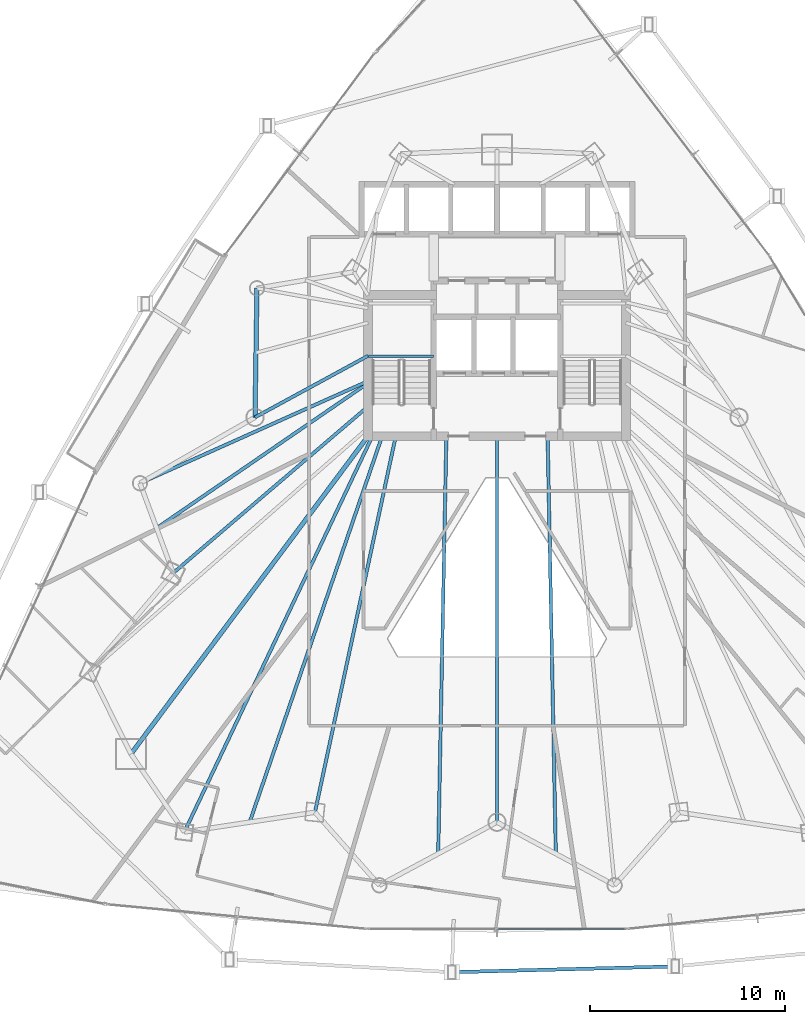
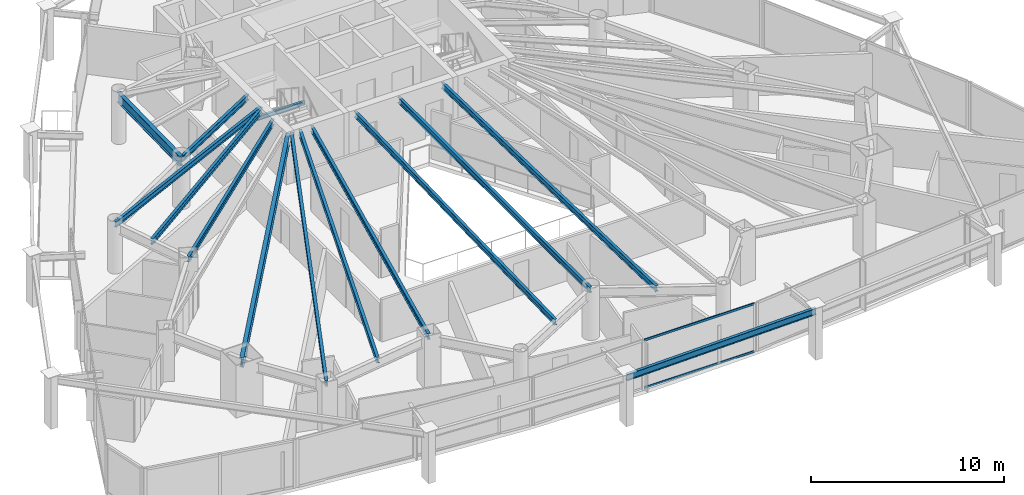
# One storey, part 11 of 35: 14 beams, 2 members, 1 element without a shape of its own.
"""IFC4 building model written with IfcOpenShell, lengths in metres."""

import ifcopenshell
import ifcopenshell.guid

model = None  # the IFC model being written
_history = None  # IfcOwnerHistory: only IFC2X3 demands one
_inside = {}  # id of a spatial element -> (the spatial element, [elements in it])
_under = {}  # id of a project, library or spatial element -> (it, [spatial elements below it])
_declared = {}  # id of a project -> (the project, [libraries it declares])
_typed = {}  # id of a type object -> (the type object, [elements of that type])
_made_of = {}  # id of a material, layer set ... -> (it, [elements and type objects made of it])


def new_model(schema):
    """Start an empty IFC model of exactly this schema.

    Asked for "IFC4X3", IfcOpenShell would pick the latest addendum, in which some entities
    have other attributes; the version numbers below select the first issue.
    IFC2X3 requires an IfcOwnerHistory on every rooted entity: one is made here for all.
    """
    global model, _history
    if schema == "IFC4X3":
        model = ifcopenshell.file(schema_version=(4, 3, 0, 0))
    else:
        model = ifcopenshell.file(schema=schema)
    _inside.clear()
    _under.clear()
    _declared.clear()
    _typed.clear()
    _made_of.clear()
    _history = None
    if model.schema == "IFC2X3":
        org = make("IfcOrganization", Name="unknown")
        user = make(
            "IfcPersonAndOrganization",
            ThePerson=make("IfcPerson", FamilyName="unknown"),
            TheOrganization=org,
        )
        app = make(
            "IfcApplication",
            ApplicationDeveloper=org,
            Version="unknown",
            ApplicationFullName="unknown",
            ApplicationIdentifier="unknown",
        )
        _history = make(
            "IfcOwnerHistory",
            OwningUser=user,
            OwningApplication=app,
            ChangeAction="ADDED",
            CreationDate=0,
        )
    return model


def make(cls, **values):
    """One entity of the class cls with the attributes given. An attribute that is None is left unset."""
    return model.create_entity(
        cls, **{name: value for name, value in values.items() if value is not None}
    )


def rooted(cls, **values):
    """An entity with a GlobalId (a new one), such as an element, a storey or a relation."""
    return make(cls, GlobalId=ifcopenshell.guid.new(), OwnerHistory=_history, **values)


def si_unit(unit_type, name, prefix=None):
    """IfcSIUnit, for example si_unit("LENGTHUNIT", "METRE", prefix="MILLI")."""
    return make("IfcSIUnit", UnitType=unit_type, Prefix=prefix, Name=name)


def assignment(units):
    """IfcUnitAssignment: the units of a project."""
    return None if units is None else make("IfcUnitAssignment", Units=units)


def point(xyz):
    """IfcCartesianPoint."""
    return None if xyz is None else make("IfcCartesianPoint", Coordinates=xyz)


def direction(xyz):
    """IfcDirection."""
    return None if xyz is None else make("IfcDirection", DirectionRatios=xyz)


def frame(location, z_axis=None, x_axis=None):
    """IfcAxis2Placement3D, a coordinate frame: its origin and axes. An axis left out is left unset."""
    return make(
        "IfcAxis2Placement3D",
        Location=point(location),
        Axis=direction(z_axis),
        RefDirection=direction(x_axis),
    )


def frame_2d(location, x_axis=None):
    """IfcAxis2Placement2D, a coordinate frame in the plane: its origin and x axis."""
    return make(
        "IfcAxis2Placement2D", Location=point(location), RefDirection=direction(x_axis)
    )


def origin():
    """The frame at (0, 0, 0) with its axes left unset."""
    return frame((0.0, 0.0, 0.0))


def origin_2d():
    """The frame at (0, 0) in the plane with its x axis left unset."""
    return frame_2d((0.0, 0.0))


def place(relative_to, where):
    """IfcLocalPlacement: puts the frame where relative to a parent placement (None: the world)."""
    return make(
        "IfcLocalPlacement", PlacementRelTo=relative_to, RelativePlacement=where
    )


def context(
    kind, dimensions, precision=None, world=None, true_north=None, identifier=None
):
    """IfcGeometricRepresentationContext, for example the 3D "Model" context."""
    return make(
        "IfcGeometricRepresentationContext",
        ContextIdentifier=identifier,
        ContextType=kind,
        CoordinateSpaceDimension=dimensions,
        Precision=precision,
        WorldCoordinateSystem=world,
        TrueNorth=true_north,
    )


def subcontext(parent, identifier, kind, view, scale=None):
    """IfcGeometricRepresentationSubContext, for example "Body" below "Model"."""
    return make(
        "IfcGeometricRepresentationSubContext",
        ContextIdentifier=identifier,
        ContextType=kind,
        ParentContext=parent,
        TargetScale=scale,
        TargetView=view,
    )


def project(units=None, contexts=None):
    """IfcProject with its units and contexts."""
    return rooted(
        "IfcProject",
        Name="project",
        RepresentationContexts=contexts,
        UnitsInContext=assignment(units),
    )


def spatial(cls, under=None, at=None, **own):
    """A site, building, storey or space (cls), placed at a placement, below another one or the project."""
    s = rooted(cls, ObjectPlacement=at, **own)
    if under is not None:
        _under.setdefault(under.id(), (under, []))[1].append(s)
    return s


def profile(cls, at=None, kind="AREA", **sizes):
    """A parametric profile (cls). Its sizes go by their IFC names, for example OverallWidth=200.0."""
    return make(cls, ProfileType=kind, Position=at, **sizes)


def hollow_rectangle(**sizes):
    """IfcRectangleHollowProfileDef."""
    return profile("IfcRectangleHollowProfileDef", **sizes)


def i_section(**sizes):
    """IfcIShapeProfileDef."""
    return profile("IfcIShapeProfileDef", **sizes)


def extrude(swept, where, along, depth):
    """IfcExtrudedAreaSolid: the profile swept, set in the frame where, extruded along a direction by depth."""
    return make(
        "IfcExtrudedAreaSolid",
        SweptArea=swept,
        Position=where,
        ExtrudedDirection=direction(along),
        Depth=depth,
    )


def shape(context_of_items, identifier, shape_type, items):
    """IfcShapeRepresentation: the items that make up one representation, for example the "Body"."""
    return make(
        "IfcShapeRepresentation",
        ContextOfItems=context_of_items,
        RepresentationIdentifier=identifier,
        RepresentationType=shape_type,
        Items=items,
    )


def material(Name=None, Category=None):
    """IfcMaterial."""
    return make("IfcMaterial", Name=Name, Category=Category)


def layer(
    of_material, thickness, ventilated=None, Name=None, Category=None, Priority=None
):
    """IfcMaterialLayer: one layer of a wall or slab, of a material (None: an air gap)."""
    return make(
        "IfcMaterialLayer",
        Material=of_material,
        LayerThickness=thickness,
        IsVentilated=ventilated,
        Name=Name,
        Category=Category,
        Priority=Priority,
    )


def layer_set(layers, Name=None):
    """IfcMaterialLayerSet."""
    return make("IfcMaterialLayerSet", MaterialLayers=layers, LayerSetName=Name)


def material_profile(
    of_material, cross_section, Name=None, Category=None, Priority=None
):
    """IfcMaterialProfile: a cross section and its material."""
    return make(
        "IfcMaterialProfile",
        Name=Name,
        Material=of_material,
        Profile=cross_section,
        Priority=Priority,
        Category=Category,
    )


def profile_set(profiles, Name=None, composite=None):
    """IfcMaterialProfileSet."""
    return make(
        "IfcMaterialProfileSet",
        Name=Name,
        MaterialProfiles=profiles,
        CompositeProfile=composite,
    )


def made_of(thing, what):
    """Note that an element or type object is made of a material, layer set ...; save() writes the relation."""
    if what is not None:
        _made_of.setdefault(what.id(), (what, []))[1].append(thing)
    return thing


def type_object(cls, material=None, **own):
    """A type object (cls), such as IfcWallType, which elements share."""
    return made_of(rooted(cls, **own), material)


def element(
    cls,
    number,
    at=None,
    inside=None,
    cuts=None,
    type_object=None,
    material=None,
    context=None,
    identifier="Body",
    shape_type=None,
    held_by="IfcProductDefinitionShape",
    body=None,
    shapes=None,
    **own,
):
    """One element of the class cls, such as IfcWall. Its Tag is "e" and its number.

    at: its placement. inside: the storey or other place that contains it. cuts: it is an
    opening in that element (IfcRelVoidsElement). A single representation is given by context,
    identifier, shape_type and body (its items); several are given by shapes. held_by: the class
    of the entity that holds the representations. save() writes the other relations.
    """
    e = rooted(cls, Tag="e%d" % number, ObjectPlacement=at, **own)
    if body is not None:
        shapes = [shape(context, identifier, shape_type, body)]
    if shapes is not None:
        e.Representation = make(held_by, Representations=shapes)
    if inside is not None:
        _inside.setdefault(inside.id(), (inside, []))[1].append(e)
    if cuts is not None:
        rooted(
            "IfcRelVoidsElement", RelatingBuildingElement=cuts, RelatedOpeningElement=e
        )
    if type_object is not None:
        _typed.setdefault(type_object.id(), (type_object, []))[1].append(e)
    return made_of(e, material)


def aggregate(whole, parts):
    """IfcRelAggregates: a whole, such as a stair, and the parts it consists of."""
    return rooted("IfcRelAggregates", RelatingObject=whole, RelatedObjects=parts)


def save(model, path):
    """Write the relations noted so far, then the file.

    IfcRelAggregates (storeys below a building ...), IfcRelContainedInSpatialStructure (elements
    in a storey), IfcRelDefinesByType, IfcRelAssociatesMaterial and IfcRelDeclares: one each for
    every whole, place, type object, material and project.
    """
    for whole, parts in _under.values():
        aggregate(whole, parts)
    for where, things in _inside.values():
        rooted(
            "IfcRelContainedInSpatialStructure",
            RelatedElements=things,
            RelatingStructure=where,
        )
    for kind, things in _typed.values():
        rooted("IfcRelDefinesByType", RelatedObjects=things, RelatingType=kind)
    for what, things in _made_of.values():
        rooted("IfcRelAssociatesMaterial", RelatedObjects=things, RelatingMaterial=what)
    for by, libraries in _declared.values():
        rooted("IfcRelDeclares", RelatingContext=by, RelatedDefinitions=libraries)
    model.write(path)


model = new_model("IFC4")

# Units and contexts
model_context = context("Model", 3, precision=1e-05, world=origin(), true_north=direction((0.0, 1.0)))
body_context = subcontext(model_context, "Body", "Model", "MODEL_VIEW")
ifc_project = project(units=[si_unit("LENGTHUNIT", "METRE"), si_unit("AREAUNIT", "SQUARE_METRE"), si_unit("VOLUMEUNIT", "CUBIC_METRE"), si_unit("PLANEANGLEUNIT", "RADIAN"), si_unit("MASSUNIT", "GRAM", prefix="KILO")], contexts=[model_context])

# Site, building, storey
site_placement = place(None, origin())
site = spatial("IfcSite", under=ifc_project, at=site_placement, CompositionType="ELEMENT")
building_placement = place(site_placement, origin())
building = spatial("IfcBuilding", under=site, at=building_placement, Name="Orvanel Arch Residences", CompositionType="ELEMENT")
storey_placement = place(building_placement, frame((0.0, 0.0, 40.10009765625)))
storey = spatial("IfcBuildingStorey", under=building, at=storey_placement, Name="L10", CompositionType="ELEMENT", Elevation=40.10009765625)

# Beams
ifc_material_1 = material(Name="Structural steel AS/NZS 3679.1 Grade 300 (300 MPa)", Category="steel")
ifc_material_profile_1 = material_profile(ifc_material_1, i_section(OverallWidth=0.22900390625, OverallDepth=0.612060546875, WebThickness=0.011962890625, FlangeThickness=0.01953125, at=origin_2d()), Name="610UB125")
ifc_profile_set_1 = profile_set([ifc_material_profile_1], Name="Structural steel AS/NZS 3679.1 Grade 300 (300 MPa)")
beam_type_1 = type_object("IfcBeamType", Name="BG-610UB", PredefinedType="BEAM", material=ifc_profile_set_1)
beam_1_placement = place(storey_placement, frame((26.375, 26.675048828125, 2.75390625), z_axis=(-0.597893733742, -0.801575375839, 0.0), x_axis=(0.801575375839, -0.597893733742, 0.0)))
element("IfcBeam", 1, at=beam_1_placement, inside=storey, type_object=beam_type_1, Name="L10 South-West Radial Girder", PredefinedType="BEAM", context=body_context, shape_type="SweptSolid", body=[
    extrude(i_section(OverallWidth=0.22900390625, OverallDepth=0.612060546875, WebThickness=0.011962890625, FlangeThickness=0.01953125, at=origin_2d()), origin(), (0.0, 0.0, 1.0), 20.36474609375),
])
ifc_material_profile_2 = material_profile(ifc_material_1, i_section(OverallWidth=0.14599609375, OverallDepth=0.251953125, WebThickness=0.006103515625, FlangeThickness=0.008544921875, at=origin_2d()), Name="250UB31.4")
ifc_profile_set_2 = profile_set([ifc_material_profile_2], Name="Structural steel AS/NZS 3679.1 Grade 300 (300 MPa)")
beam_type_2 = type_object("IfcBeamType", Name="BJ-250UB", PredefinedType="JOIST", material=ifc_profile_set_2)
beam_2_placement = place(storey_placement, frame((26.39990234375, 30.780029296875, 1.323974609375), z_axis=(1.0, 0.0, 0.0), x_axis=(0.0, 1.0, 0.0)))
element("IfcBeam", 2, at=beam_2_placement, inside=storey, type_object=beam_type_2, Name="L10 ST-1 Half-Landing Support Beam 1.1", PredefinedType="JOIST", context=body_context, shape_type="SweptSolid", body=[
    extrude(i_section(OverallWidth=0.14599609375, OverallDepth=0.251953125, WebThickness=0.006103515625, FlangeThickness=0.008544921875, at=origin_2d()), origin(), (0.0, 0.0, 1.0), 3.35009765625),
])
ifc_material_profile_3 = material_profile(ifc_material_1, i_section(OverallWidth=0.1708984375, OverallDepth=0.35595703125, WebThickness=0.00732421875, FlangeThickness=0.011474609375, at=origin_2d()), Name="360UB50.7")
ifc_profile_set_3 = profile_set([ifc_material_profile_3], Name="Structural steel AS/NZS 3679.1 Grade 300 (300 MPa)")
beam_type_3 = type_object("IfcBeamType", Name="BJ-360UB", PredefinedType="JOIST", material=ifc_profile_set_3)
beam_3_placement = place(storey_placement, frame((26.375, 30.800048828125, 2.8818359375), z_axis=(-0.878399029914, -0.477927969726, 0.0), x_axis=(0.477927969726, -0.878399029914, 0.0)))
element("IfcBeam", 3, at=beam_3_placement, inside=storey, type_object=beam_type_3, Name="L10 NW Wing Floor Joist", PredefinedType="JOIST", context=body_context, shape_type="SweptSolid", body=[
    extrude(i_section(OverallWidth=0.1708984375, OverallDepth=0.35595703125, WebThickness=0.00732421875, FlangeThickness=0.011474609375, at=origin_2d()), origin(), (0.0, 0.0, 1.0), 6.609619140625),
])
beam_4_placement = place(storey_placement, frame((26.375, 28.199951171875, 2.8818359375), z_axis=(-0.760024297953, -0.649894658018, 0.0), x_axis=(0.649894658018, -0.760024297953, 0.0)))
element("IfcBeam", 4, at=beam_4_placement, inside=storey, type_object=beam_type_3, Name="L10 W Wing Floor Joist", PredefinedType="JOIST", context=body_context, shape_type="SweptSolid", body=[
    extrude(i_section(OverallWidth=0.1708984375, OverallDepth=0.35595703125, WebThickness=0.00732421875, FlangeThickness=0.011474609375, at=origin_2d()), origin(), (0.0, 0.0, 1.0), 13.16796875),
])
beam_5_placement = place(storey_placement, frame((27.800048828125, 26.675048828125, 2.8818359375), z_axis=(-0.210066515515, -0.977687096703, 0.0), x_axis=(0.977687096703, -0.210066515515, 0.0)))
element("IfcBeam", 5, at=beam_5_placement, inside=storey, type_object=beam_type_3, Name="L10 SW Wing Floor Joist", PredefinedType="JOIST", context=body_context, shape_type="SweptSolid", body=[
    extrude(i_section(OverallWidth=0.1708984375, OverallDepth=0.35595703125, WebThickness=0.00732421875, FlangeThickness=0.011474609375, at=origin_2d()), origin(), (0.0, 0.0, 1.0), 19.760986328125),
])
beam_6_placement = place(storey_placement, frame((33.0, 26.675048828125, 2.8818359375), z_axis=(0.0, -1.0, 0.0), x_axis=(1.0, 0.0, 0.0)))
element("IfcBeam", 6, at=beam_6_placement, inside=storey, type_object=beam_type_3, Name="L10 SSW Wing Floor Joist", PredefinedType="JOIST", context=body_context, shape_type="SweptSolid", body=[
    extrude(i_section(OverallWidth=0.1708984375, OverallDepth=0.35595703125, WebThickness=0.00732421875, FlangeThickness=0.011474609375, at=origin_2d()), origin(), (0.0, 0.0, 1.0), 19.8310546875),
])
for number, where, z_axis, x_axis, name in (
    (7, (30.39990234375, 26.675048828125, 2.8818359375), (-0.019617680075, -0.999807554797, 0.0), (0.999807554797, -0.019617680075, 0.0), "L10 WSW2 Wing Floor Joist"),
    (8, (35.60009765625, 26.675048828125, 2.8818359375), (0.019617680075, -0.999807554797, 0.0), (0.999807554797, 0.019617680075, 0.0), "L10 ESE2 Wing Floor Joist"),
):
    element("IfcBeam", number, at=place(storey_placement, frame(where, z_axis=z_axis, x_axis=x_axis)), inside=storey, type_object=beam_type_3, Name=name, PredefinedType="JOIST", context=body_context, shape_type="SweptSolid", body=[
        extrude(i_section(OverallWidth=0.1708984375, OverallDepth=0.35595703125, WebThickness=0.00732421875, FlangeThickness=0.011474609375, at=origin_2d()), origin(), (0.0, 0.0, 1.0), 21.455078125),
    ])
beam_7_placement = place(storey_placement, frame((26.60009765625, 26.675048828125, 2.8818359375), z_axis=(-0.429042657795, -0.903284228686, 0.0), x_axis=(0.903284228686, -0.429042657795, 0.0)))
element("IfcBeam", 9, at=beam_7_placement, inside=storey, type_object=beam_type_3, Name="L10 MSW Wing Floor Joist", PredefinedType="JOIST", context=body_context, shape_type="SweptSolid", body=[
    extrude(i_section(OverallWidth=0.1708984375, OverallDepth=0.35595703125, WebThickness=0.00732421875, FlangeThickness=0.011474609375, at=origin_2d()), origin(), (0.0, 0.0, 1.0), 22.513427734375),
])
beam_8_placement = place(storey_placement, frame((26.375, 29.5, 2.8818359375), z_axis=(-0.912704378681, -0.408620505038, 0.0), x_axis=(0.408620505038, -0.912704378681, 0.0)))
element("IfcBeam", 10, at=beam_8_placement, inside=storey, type_object=beam_type_3, Name="L10 LSW Wing Floor Joist", PredefinedType="JOIST", context=body_context, shape_type="SweptSolid", body=[
    extrude(i_section(OverallWidth=0.1708984375, OverallDepth=0.35595703125, WebThickness=0.00732421875, FlangeThickness=0.011474609375, at=origin_2d()), origin(), (0.0, 0.0, 1.0), 12.833251953125),
])
beam_9_placement = place(storey_placement, frame((26.375, 29.39990234375, 2.8818359375), z_axis=(-0.824587280955, -0.565734757716, 0.0), x_axis=(0.565734757716, -0.824587280955, 0.0)))
element("IfcBeam", 11, at=beam_9_placement, inside=storey, type_object=beam_type_3, Name="L10 CTW Wing Floor Joist", PredefinedType="JOIST", context=body_context, shape_type="SweptSolid", body=[
    extrude(i_section(OverallWidth=0.1708984375, OverallDepth=0.35595703125, WebThickness=0.00732421875, FlangeThickness=0.011474609375, at=origin_2d()), origin(), (0.0, 0.0, 1.0), 13.17041015625),
])
beam_10_placement = place(storey_placement, frame((27.10009765625, 26.675048828125, 2.8818359375), z_axis=(-0.324621456495, -0.945844019901, 0.0), x_axis=(0.945844019901, -0.324621456495, 0.0)))
element("IfcBeam", 12, at=beam_10_placement, inside=storey, type_object=beam_type_3, Name="L10 JADD1 Wing Floor Joist", PredefinedType="JOIST", context=body_context, shape_type="SweptSolid", body=[
    extrude(i_section(OverallWidth=0.1708984375, OverallDepth=0.35595703125, WebThickness=0.00732421875, FlangeThickness=0.011474609375, at=origin_2d()), origin(), (0.0, 0.0, 1.0), 20.96337890625),
])
ifc_material_profile_4 = material_profile(ifc_material_1, i_section(OverallWidth=0.177978515625, OverallDepth=0.406005859375, WebThickness=0.0078125, FlangeThickness=0.0126953125, at=origin_2d()), Name="410UB59.7")
ifc_profile_set_4 = profile_set([ifc_material_profile_4], Name="Structural steel AS/NZS 3679.1 Grade 300 (300 MPa)")
beam_type_4 = type_object("IfcBeamType", Name="OB-410UB-EXT", PredefinedType="SPANDREL", material=ifc_profile_set_4)
beam_11_placement = place(storey_placement, frame((30.681884765625, -0.861083984375, 2.85693359375), z_axis=(0.999662336028, 0.025984878809, 0.0), x_axis=(-0.025984878809, 0.999662336028, 0.0)))
element("IfcBeam", 13, at=beam_11_placement, inside=storey, type_object=beam_type_4, Name="L10 Outer Perimeter Floor Ring Beam 06", PredefinedType="SPANDREL", context=body_context, shape_type="SweptSolid", body=[
    extrude(i_section(OverallWidth=0.177978515625, OverallDepth=0.406005859375, WebThickness=0.0078125, FlangeThickness=0.0126953125, at=origin_2d()), origin(), (0.0, 0.0, 1.0), 11.471923828125),
])
ifc_material_profile_5 = material_profile(ifc_material_1, i_section(OverallWidth=0.22900390625, OverallDepth=0.612060546875, WebThickness=0.011962890625, FlangeThickness=0.01953125, at=origin_2d()), Name="610UB125")
ifc_profile_set_5 = profile_set([ifc_material_profile_5], Name="Structural steel AS/NZS 3679.1 Grade 300 (300 MPa)")
beam_type_5 = type_object("IfcBeamType", Name="SP-610UB", PredefinedType="SPANDREL", material=ifc_profile_set_5)
beam_12_placement = place(storey_placement, frame((20.669921875, 34.27099609375, 2.75390625), z_axis=(-0.015206666874, -0.999884371956, 0.0), x_axis=(0.999884371956, -0.015206666874, 0.0)))
element("IfcBeam", 14, at=beam_12_placement, inside=storey, type_object=beam_type_5, Name="L10 Perimeter Spandrel Beam 20", PredefinedType="SPANDREL", context=body_context, shape_type="SweptSolid", body=[
    extrude(i_section(OverallWidth=0.22900390625, OverallDepth=0.612060546875, WebThickness=0.011962890625, FlangeThickness=0.01953125, at=origin_2d()), origin(), (0.0, 0.0, 1.0), 6.630615234375),
])

# Curtain wall, members
ifc_material_2 = material(Name="Bronze-anodised aluminium AA6063-T6", Category="aluminium")
ifc_layer = layer(ifc_material_2, 0.179931640625)
ifc_layer_set = layer_set([ifc_layer], Name="Bronze-anodised aluminium AA6063-T6")
curtain_wall_type = type_object("IfcCurtainWallType", Name="CW2-LOW-SYS", PredefinedType="NOTDEFINED", material=ifc_layer_set)
curtain_wall_placement = place(storey_placement, origin())
curtain_wall = element("IfcCurtainWall", 15, at=curtain_wall_placement, inside=storey, type_object=curtain_wall_type, Name="L10 CW2-LOW-SYS Unitised Curtain Wall", PredefinedType="NOTDEFINED")
ifc_material_profile_6 = material_profile(ifc_material_2, hollow_rectangle(XDim=0.06005859375, YDim=0.135009765625, WallThickness=0.00390625, at=origin_2d()), Name="ALU135x60x4")
ifc_profile_set_6 = profile_set([ifc_material_profile_6], Name="Bronze-anodised aluminium AA6063-T6")
member_type = type_object("IfcMemberType", Name="TRN-135x60", PredefinedType="USERDEFINED", material=ifc_profile_set_6)
member_1_placement = place(storey_placement, frame((33.034912109375, 1.35595703125, 0.02978515625), z_axis=(1.0, 0.0, 0.0), x_axis=(0.0, 1.0, 0.0)))
member_1 = element("IfcMember", 16, at=member_1_placement, type_object=member_type, Name="CW-S2 transom 2.1", ObjectType="TRANSOM", PredefinedType="USERDEFINED", context=body_context, shape_type="SweptSolid", body=[
    extrude(hollow_rectangle(XDim=0.06005859375, YDim=0.135009765625, WallThickness=0.00390625, at=origin_2d()), origin(), (0.0, 0.0, 1.0), 6.552978515625),
])
member_2_placement = place(storey_placement, frame((33.034912109375, 1.35595703125, 3.02978515625), z_axis=(1.0, 0.0, 0.0), x_axis=(0.0, 1.0, 0.0)))
member_2 = element("IfcMember", 17, at=member_2_placement, type_object=member_type, Name="CW-S2 transom 2.2", ObjectType="TRANSOM", PredefinedType="USERDEFINED", context=body_context, shape_type="SweptSolid", body=[
    extrude(hollow_rectangle(XDim=0.06005859375, YDim=0.135009765625, WallThickness=0.00390625, at=origin_2d()), origin(), (0.0, 0.0, 1.0), 6.552978515625),
])
aggregate(curtain_wall, [member_1, member_2])

save(model, "model.ifc")
